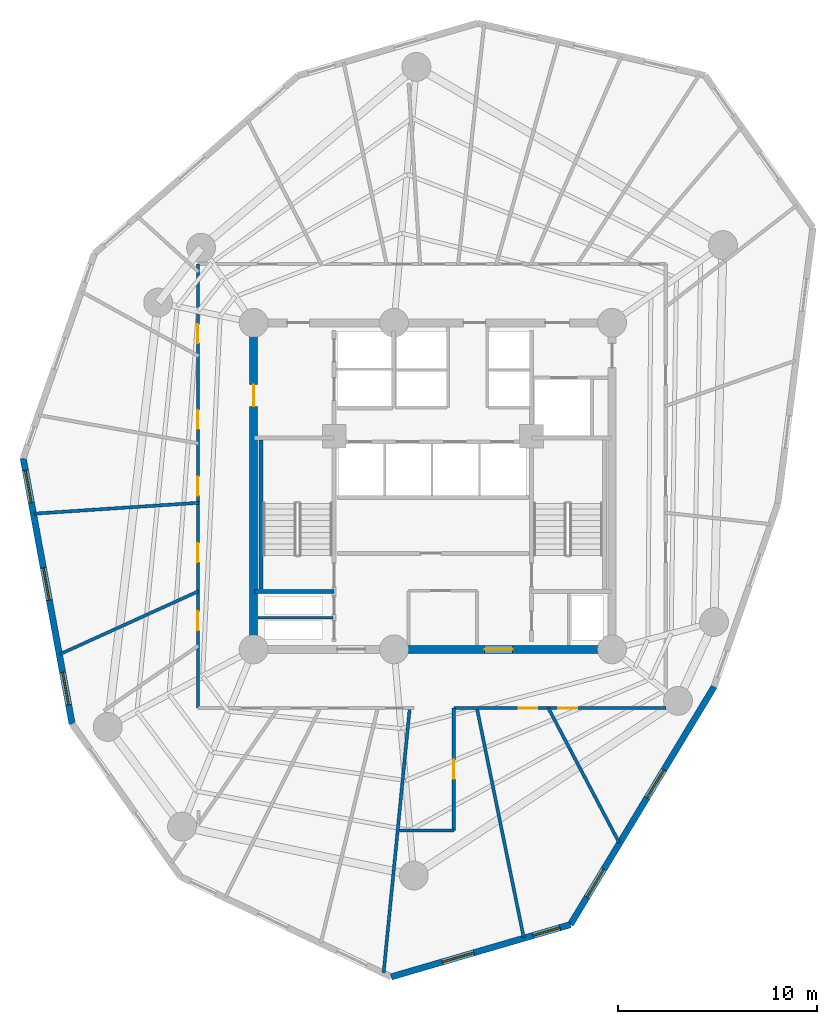
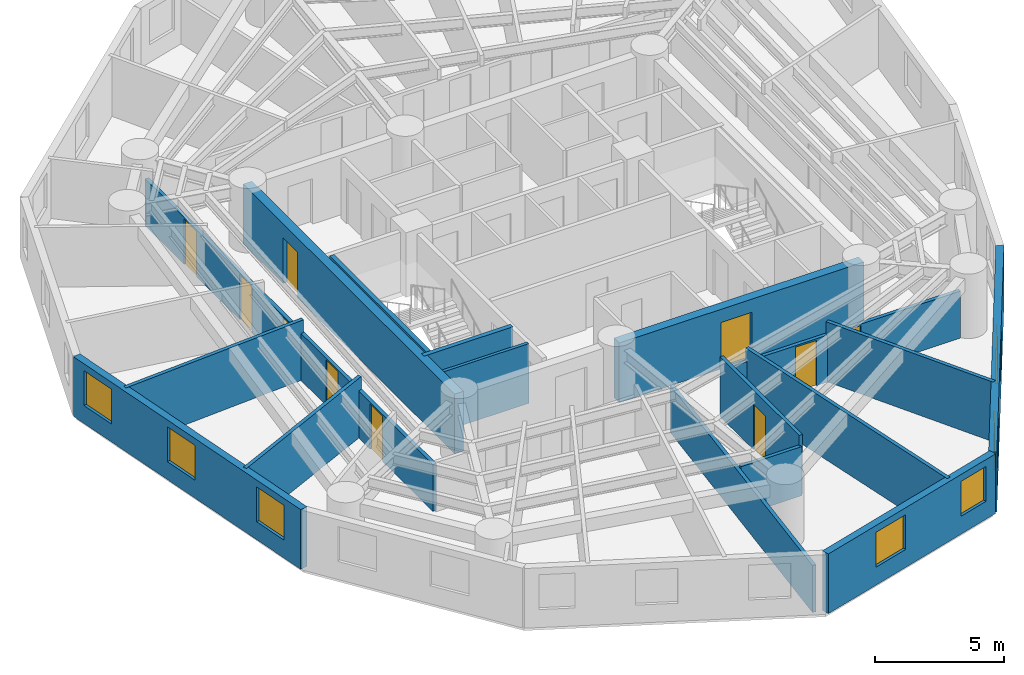
# One storey, part 3 of 7: 17 walls, 10 doors, 7 windows, 17 openings.
"""IFC4 building model written with IfcOpenShell, lengths in metres."""

import ifcopenshell
import ifcopenshell.guid

model = None  # the IFC model being written
_history = None  # IfcOwnerHistory: only IFC2X3 demands one
_inside = {}  # id of a spatial element -> (the spatial element, [elements in it])
_under = {}  # id of a project, library or spatial element -> (it, [spatial elements below it])
_declared = {}  # id of a project -> (the project, [libraries it declares])
_typed = {}  # id of a type object -> (the type object, [elements of that type])
_made_of = {}  # id of a material, layer set ... -> (it, [elements and type objects made of it])


def new_model(schema):
    """Start an empty IFC model of exactly this schema.

    Asked for "IFC4X3", IfcOpenShell would pick the latest addendum, in which some entities
    have other attributes; the version numbers below select the first issue.
    IFC2X3 requires an IfcOwnerHistory on every rooted entity: one is made here for all.
    """
    global model, _history
    if schema == "IFC4X3":
        model = ifcopenshell.file(schema_version=(4, 3, 0, 0))
    else:
        model = ifcopenshell.file(schema=schema)
    _inside.clear()
    _under.clear()
    _declared.clear()
    _typed.clear()
    _made_of.clear()
    _history = None
    if model.schema == "IFC2X3":
        org = make("IfcOrganization", Name="unknown")
        user = make(
            "IfcPersonAndOrganization",
            ThePerson=make("IfcPerson", FamilyName="unknown"),
            TheOrganization=org,
        )
        app = make(
            "IfcApplication",
            ApplicationDeveloper=org,
            Version="unknown",
            ApplicationFullName="unknown",
            ApplicationIdentifier="unknown",
        )
        _history = make(
            "IfcOwnerHistory",
            OwningUser=user,
            OwningApplication=app,
            ChangeAction="ADDED",
            CreationDate=0,
        )
    return model


def make(cls, **values):
    """One entity of the class cls with the attributes given. An attribute that is None is left unset."""
    return model.create_entity(
        cls, **{name: value for name, value in values.items() if value is not None}
    )


def rooted(cls, **values):
    """An entity with a GlobalId (a new one), such as an element, a storey or a relation."""
    return make(cls, GlobalId=ifcopenshell.guid.new(), OwnerHistory=_history, **values)


def si_unit(unit_type, name, prefix=None):
    """IfcSIUnit, for example si_unit("LENGTHUNIT", "METRE", prefix="MILLI")."""
    return make("IfcSIUnit", UnitType=unit_type, Prefix=prefix, Name=name)


def assignment(units):
    """IfcUnitAssignment: the units of a project."""
    return None if units is None else make("IfcUnitAssignment", Units=units)


def point(xyz):
    """IfcCartesianPoint."""
    return None if xyz is None else make("IfcCartesianPoint", Coordinates=xyz)


def direction(xyz):
    """IfcDirection."""
    return None if xyz is None else make("IfcDirection", DirectionRatios=xyz)


def frame(location, z_axis=None, x_axis=None):
    """IfcAxis2Placement3D, a coordinate frame: its origin and axes. An axis left out is left unset."""
    return make(
        "IfcAxis2Placement3D",
        Location=point(location),
        Axis=direction(z_axis),
        RefDirection=direction(x_axis),
    )


def frame_2d(location, x_axis=None):
    """IfcAxis2Placement2D, a coordinate frame in the plane: its origin and x axis."""
    return make(
        "IfcAxis2Placement2D", Location=point(location), RefDirection=direction(x_axis)
    )


def origin():
    """The frame at (0, 0, 0) with its axes left unset."""
    return frame((0.0, 0.0, 0.0))


def origin_with_axes():
    """The frame at (0, 0, 0) with the z axis (0, 0, 1) and the x axis (1, 0, 0) written out."""
    return frame((0.0, 0.0, 0.0), z_axis=(0.0, 0.0, 1.0), x_axis=(1.0, 0.0, 0.0))


def place(relative_to, where):
    """IfcLocalPlacement: puts the frame where relative to a parent placement (None: the world)."""
    return make(
        "IfcLocalPlacement", PlacementRelTo=relative_to, RelativePlacement=where
    )


def context(
    kind, dimensions, precision=None, world=None, true_north=None, identifier=None
):
    """IfcGeometricRepresentationContext, for example the 3D "Model" context."""
    return make(
        "IfcGeometricRepresentationContext",
        ContextIdentifier=identifier,
        ContextType=kind,
        CoordinateSpaceDimension=dimensions,
        Precision=precision,
        WorldCoordinateSystem=world,
        TrueNorth=true_north,
    )


def subcontext(parent, identifier, kind, view, scale=None):
    """IfcGeometricRepresentationSubContext, for example "Body" below "Model"."""
    return make(
        "IfcGeometricRepresentationSubContext",
        ContextIdentifier=identifier,
        ContextType=kind,
        ParentContext=parent,
        TargetScale=scale,
        TargetView=view,
    )


def project(units=None, contexts=None):
    """IfcProject with its units and contexts."""
    return rooted(
        "IfcProject",
        Name="project",
        RepresentationContexts=contexts,
        UnitsInContext=assignment(units),
    )


def spatial(cls, under=None, at=None, **own):
    """A site, building, storey or space (cls), placed at a placement, below another one or the project."""
    s = rooted(cls, ObjectPlacement=at, **own)
    if under is not None:
        _under.setdefault(under.id(), (under, []))[1].append(s)
    return s


def profile(cls, at=None, kind="AREA", **sizes):
    """A parametric profile (cls). Its sizes go by their IFC names, for example OverallWidth=200.0."""
    return make(cls, ProfileType=kind, Position=at, **sizes)


def rectangle(**sizes):
    """IfcRectangleProfileDef."""
    return profile("IfcRectangleProfileDef", **sizes)


def extrude(swept, where, along, depth):
    """IfcExtrudedAreaSolid: the profile swept, set in the frame where, extruded along a direction by depth."""
    return make(
        "IfcExtrudedAreaSolid",
        SweptArea=swept,
        Position=where,
        ExtrudedDirection=direction(along),
        Depth=depth,
    )


def shape(context_of_items, identifier, shape_type, items):
    """IfcShapeRepresentation: the items that make up one representation, for example the "Body"."""
    return make(
        "IfcShapeRepresentation",
        ContextOfItems=context_of_items,
        RepresentationIdentifier=identifier,
        RepresentationType=shape_type,
        Items=items,
    )


def source(mapping_origin, context_of_items, identifier, shape_type, items):
    """IfcRepresentationMap: a shape defined once, which mapped items show again and again."""
    return make(
        "IfcRepresentationMap",
        MappingOrigin=mapping_origin,
        MappedRepresentation=shape(context_of_items, identifier, shape_type, items),
    )


def transform(
    local_origin,
    x_axis=None,
    y_axis=None,
    z_axis=None,
    scale=None,
    scale2=None,
    scale3=None,
    uniform=True,
):
    """IfcCartesianTransformationOperator3D, or its non-uniform kind. x_axis, y_axis, z_axis: its Axis1, 2, 3."""
    if uniform:
        return make(
            "IfcCartesianTransformationOperator3D",
            Axis1=direction(x_axis),
            Axis2=direction(y_axis),
            LocalOrigin=point(local_origin),
            Scale=scale,
            Axis3=direction(z_axis),
        )
    return make(
        "IfcCartesianTransformationOperator3DnonUniform",
        Axis1=direction(x_axis),
        Axis2=direction(y_axis),
        LocalOrigin=point(local_origin),
        Scale=scale,
        Axis3=direction(z_axis),
        Scale2=scale2,
        Scale3=scale3,
    )


def mapped(mapping_source, mapping_target):
    """IfcMappedItem: shows the shape of a source again, moved by a transform."""
    return make(
        "IfcMappedItem", MappingSource=mapping_source, MappingTarget=mapping_target
    )


def material(Name=None, Category=None):
    """IfcMaterial."""
    return make("IfcMaterial", Name=Name, Category=Category)


def layer(
    of_material, thickness, ventilated=None, Name=None, Category=None, Priority=None
):
    """IfcMaterialLayer: one layer of a wall or slab, of a material (None: an air gap)."""
    return make(
        "IfcMaterialLayer",
        Material=of_material,
        LayerThickness=thickness,
        IsVentilated=ventilated,
        Name=Name,
        Category=Category,
        Priority=Priority,
    )


def layer_set(layers, Name=None):
    """IfcMaterialLayerSet."""
    return make("IfcMaterialLayerSet", MaterialLayers=layers, LayerSetName=Name)


def made_of(thing, what):
    """Note that an element or type object is made of a material, layer set ...; save() writes the relation."""
    if what is not None:
        _made_of.setdefault(what.id(), (what, []))[1].append(thing)
    return thing


def type_object(cls, material=None, **own):
    """A type object (cls), such as IfcWallType, which elements share."""
    return made_of(rooted(cls, **own), material)


def element(
    cls,
    number,
    at=None,
    inside=None,
    cuts=None,
    type_object=None,
    material=None,
    context=None,
    identifier="Body",
    shape_type=None,
    held_by="IfcProductDefinitionShape",
    body=None,
    shapes=None,
    **own,
):
    """One element of the class cls, such as IfcWall. Its Tag is "e" and its number.

    at: its placement. inside: the storey or other place that contains it. cuts: it is an
    opening in that element (IfcRelVoidsElement). A single representation is given by context,
    identifier, shape_type and body (its items); several are given by shapes. held_by: the class
    of the entity that holds the representations. save() writes the other relations.
    """
    e = rooted(cls, Tag="e%d" % number, ObjectPlacement=at, **own)
    if body is not None:
        shapes = [shape(context, identifier, shape_type, body)]
    if shapes is not None:
        e.Representation = make(held_by, Representations=shapes)
    if inside is not None:
        _inside.setdefault(inside.id(), (inside, []))[1].append(e)
    if cuts is not None:
        rooted(
            "IfcRelVoidsElement", RelatingBuildingElement=cuts, RelatedOpeningElement=e
        )
    if type_object is not None:
        _typed.setdefault(type_object.id(), (type_object, []))[1].append(e)
    return made_of(e, material)


def fill(opening, filler):
    """IfcRelFillsElement: the door or window that sits in an opening."""
    return rooted(
        "IfcRelFillsElement",
        RelatingOpeningElement=opening,
        RelatedBuildingElement=filler,
    )


def aggregate(whole, parts):
    """IfcRelAggregates: a whole, such as a stair, and the parts it consists of."""
    return rooted("IfcRelAggregates", RelatingObject=whole, RelatedObjects=parts)


def save(model, path):
    """Write the relations noted so far, then the file.

    IfcRelAggregates (storeys below a building ...), IfcRelContainedInSpatialStructure (elements
    in a storey), IfcRelDefinesByType, IfcRelAssociatesMaterial and IfcRelDeclares: one each for
    every whole, place, type object, material and project.
    """
    for whole, parts in _under.values():
        aggregate(whole, parts)
    for where, things in _inside.values():
        rooted(
            "IfcRelContainedInSpatialStructure",
            RelatedElements=things,
            RelatingStructure=where,
        )
    for kind, things in _typed.values():
        rooted("IfcRelDefinesByType", RelatedObjects=things, RelatingType=kind)
    for what, things in _made_of.values():
        rooted("IfcRelAssociatesMaterial", RelatedObjects=things, RelatingMaterial=what)
    for by, libraries in _declared.values():
        rooted("IfcRelDeclares", RelatingContext=by, RelatedDefinitions=libraries)
    model.write(path)


model = new_model("IFC4")

# Units and contexts
model_context = context("Model", 3, precision=1e-05, world=origin(), true_north=direction((0.0, 1.0)))
body_context = subcontext(model_context, "Body", "Model", "MODEL_VIEW")
ifc_project = project(units=[si_unit("LENGTHUNIT", "METRE"), si_unit("AREAUNIT", "SQUARE_METRE"), si_unit("VOLUMEUNIT", "CUBIC_METRE"), si_unit("PLANEANGLEUNIT", "RADIAN"), si_unit("MASSUNIT", "GRAM", prefix="KILO")], contexts=[model_context])

# Site, building, storey
site_placement = place(None, origin())
site = spatial("IfcSite", under=ifc_project, at=site_placement, CompositionType="ELEMENT")
building_placement = place(site_placement, origin())
building = spatial("IfcBuilding", under=site, at=building_placement, Name="Karkom Vertical University and Central Library", CompositionType="ELEMENT")
storey_placement = place(building_placement, frame((0.0, 0.0, 138.89990234375)))
storey = spatial("IfcBuildingStorey", under=building, at=storey_placement, Name="L39", CompositionType="ELEMENT", Elevation=138.89990234375)

# Wall, openings, windows
ifc_material_1 = material(Name="Brick-faced precast concrete C45/55", Category="masonry")
ifc_layer_1 = layer(ifc_material_1, 0.320068359375)
ifc_layer_set_1 = layer_set([ifc_layer_1], Name="Brick-faced precast concrete C45/55")
wall_type_1 = type_object("IfcWallType", Name="ENV-WL-BRK-320", PredefinedType="SOLIDWALL", material=ifc_layer_set_1)
wall_1_placement = place(storey_placement, frame((7.92529296875, 27.905029296875, 0.0), z_axis=(0.0, 0.0, 1.0), x_axis=(0.181202231152, -0.983445855869, 0.0)))
wall_1 = element("IfcWall", 1, at=wall_1_placement, inside=storey, type_object=wall_type_1, Name="Level 39 Brick-Faced Precast Facade Wall 02", PredefinedType="SOLIDWALL", context=body_context, shape_type="SweptSolid", body=[
    extrude(rectangle(XDim=13.58251953125, YDim=0.320068359375, at=frame_2d((6.791259765625, 0.0))), origin(), (0.0, 0.0, 1.0), 2.8251953125),
])
opening_1_placement = place(wall_1_placement, frame((0.62890625, 0.0, 0.85009765625)))
opening_1 = element("IfcOpeningElement", 2, at=opening_1_placement, cuts=wall_1, Name="Opening WN-06", PredefinedType="OPENING", context=body_context, shape_type="SweptSolid", body=[
    extrude(rectangle(XDim=1.64990234375, YDim=1.64990234375, at=frame_2d((0.824951171875, 0.824951171875))), frame((0.0, 0.169921875, 0.0), z_axis=(0.0, -1.0, 0.0), x_axis=(1.0, 0.0, 0.0)), (0.0, 0.0, 1.0), 0.340087890625),
])
opening_2_placement = place(wall_1_placement, frame((5.60498046875, 0.0, 0.85009765625)))
opening_2 = element("IfcOpeningElement", 3, at=opening_2_placement, cuts=wall_1, Name="Opening WN-06", PredefinedType="OPENING", context=body_context, shape_type="SweptSolid", body=[
    extrude(rectangle(XDim=1.64990234375, YDim=1.64990234375, at=frame_2d((0.824951171875, 0.824951171875))), frame((0.0, 0.169921875, 0.0), z_axis=(0.0, -1.0, 0.0), x_axis=(1.0, 0.0, 0.0)), (0.0, 0.0, 1.0), 0.340087890625),
])
opening_3_placement = place(wall_1_placement, frame((10.9423828125, 0.0, 0.85009765625)))
opening_3 = element("IfcOpeningElement", 4, at=opening_3_placement, cuts=wall_1, Name="Opening WN-06", PredefinedType="OPENING", context=body_context, shape_type="SweptSolid", body=[
    extrude(rectangle(XDim=1.64990234375, YDim=1.64990234375, at=frame_2d((0.824951171875, 0.824951171875))), frame((0.0, 0.169921875, 0.0), z_axis=(0.0, -1.0, 0.0), x_axis=(1.0, 0.0, 0.0)), (0.0, 0.0, 1.0), 0.340087890625),
])
ifc_material_2 = material(Name="Aluminium thermal-break frame with solar-control IGU", Category="aluminium")
window_type_1 = type_object("IfcWindowType", Name="ENV-WIN-WN-06", PartitioningType="SINGLE_PANEL", PredefinedType="WINDOW", material=ifc_material_2)
shared_shape_1 = source(origin_with_axes(), body_context, "Body", "SweptSolid", [
    extrude(rectangle(XDim=1.64990234375, YDim=1.64990234375, at=frame_2d((0.824951171875, 0.824951171875))), frame((0.0, 0.030029296875, 0.0), z_axis=(0.0, -1.0, 0.0), x_axis=(1.0, 0.0, 0.0)), (0.0, 0.0, 1.0), 0.06005859375),
])
window_1_placement = place(opening_1_placement, origin())
window_1 = element("IfcWindow", 5, at=window_1_placement, inside=storey, type_object=window_type_1, Name="Level 39 Punched Window 2.1", OverallHeight=1.64990234375, OverallWidth=1.64990234375, PartitioningType="SINGLE_PANEL", PredefinedType="WINDOW", context=body_context, shape_type="MappedRepresentation", body=[
    mapped(shared_shape_1, transform((0.0, 0.0, 0.0), scale=1.0)),
])
fill(opening_1, window_1)
window_2_placement = place(opening_2_placement, origin())
window_2 = element("IfcWindow", 6, at=window_2_placement, inside=storey, type_object=window_type_1, Name="Level 39 Punched Window 2.2", OverallHeight=1.64990234375, OverallWidth=1.64990234375, PartitioningType="SINGLE_PANEL", PredefinedType="WINDOW", context=body_context, shape_type="MappedRepresentation", body=[
    mapped(shared_shape_1, transform((0.0, 0.0, 0.0), scale=1.0)),
])
fill(opening_2, window_2)
window_3_placement = place(opening_3_placement, origin())
window_3 = element("IfcWindow", 7, at=window_3_placement, inside=storey, type_object=window_type_1, Name="Level 39 Punched Window 2.3", OverallHeight=1.64990234375, OverallWidth=1.64990234375, PartitioningType="SINGLE_PANEL", PredefinedType="WINDOW", context=body_context, shape_type="MappedRepresentation", body=[
    mapped(shared_shape_1, transform((0.0, 0.0, 0.0), scale=1.0)),
])
fill(opening_3, window_3)

wall_2_placement = place(storey_placement, frame((26.40380859375, 1.85009765625, 0.0), z_axis=(0.0, 0.0, 1.0), x_axis=(0.960025365536, 0.279913017788, 0.0)))
wall_2 = element("IfcWall", 8, at=wall_2_placement, inside=storey, type_object=wall_type_1, Name="Level 39 Brick-Faced Precast Facade Wall 05", PredefinedType="SOLIDWALL", context=body_context, shape_type="SweptSolid", body=[
    extrude(rectangle(XDim=9.376953125, YDim=0.320068359375, at=frame_2d((4.6884765625, 0.0))), origin(), (0.0, 0.0, 1.0), 2.8251953125),
])
opening_4_placement = place(wall_2_placement, frame((2.67919921875, 0.0, 0.85009765625)))
opening_4 = element("IfcOpeningElement", 9, at=opening_4_placement, cuts=wall_2, Name="Opening WN-06", PredefinedType="OPENING", context=body_context, shape_type="SweptSolid", body=[
    extrude(rectangle(XDim=1.64990234375, YDim=1.64990234375, at=frame_2d((0.824951171875, 0.824951171875))), frame((0.0, 0.169921875, 0.0), z_axis=(0.0, -1.0, 0.0), x_axis=(1.0, 0.0, 0.0)), (0.0, 0.0, 1.0), 0.340087890625),
])
opening_5_placement = place(wall_2_placement, frame((7.432861328125, 0.0, 0.85009765625)))
opening_5 = element("IfcOpeningElement", 10, at=opening_5_placement, cuts=wall_2, Name="Opening WN-07", PredefinedType="OPENING", context=body_context, shape_type="SweptSolid", body=[
    extrude(rectangle(XDim=1.39990234375, YDim=1.64990234375, at=frame_2d((0.699951171875, 0.824951171875))), frame((0.0, 0.169921875, 0.0), z_axis=(0.0, -1.0, 0.0), x_axis=(1.0, 0.0, 0.0)), (0.0, 0.0, 1.0), 0.340087890625),
])
window_4_placement = place(opening_4_placement, origin())
window_4 = element("IfcWindow", 11, at=window_4_placement, inside=storey, type_object=window_type_1, Name="Level 39 Punched Window 5.1", OverallHeight=1.64990234375, OverallWidth=1.64990234375, PartitioningType="SINGLE_PANEL", PredefinedType="WINDOW", context=body_context, shape_type="MappedRepresentation", body=[
    mapped(shared_shape_1, transform((0.0, 0.0, 0.0), scale=1.0)),
])
fill(opening_4, window_4)
window_type_2 = type_object("IfcWindowType", Name="ENV-WIN-WN-07", PartitioningType="SINGLE_PANEL", PredefinedType="WINDOW", material=ifc_material_2)
shared_shape_2 = source(origin_with_axes(), body_context, "Body", "SweptSolid", [
    extrude(rectangle(XDim=1.39990234375, YDim=1.64990234375, at=frame_2d((0.699951171875, 0.824951171875))), frame((0.0, 0.030029296875, 0.0), z_axis=(0.0, -1.0, 0.0), x_axis=(1.0, 0.0, 0.0)), (0.0, 0.0, 1.0), 0.06005859375),
])
window_5_placement = place(opening_5_placement, origin())
window_5 = element("IfcWindow", 12, at=window_5_placement, inside=storey, type_object=window_type_2, Name="Level 39 Punched Window 5.2", OverallHeight=1.64990234375, OverallWidth=1.39990234375, PartitioningType="SINGLE_PANEL", PredefinedType="WINDOW", context=body_context, shape_type="MappedRepresentation", body=[
    mapped(shared_shape_2, transform((0.0, 0.0, 0.0), scale=1.0)),
])
fill(opening_5, window_5)

wall_3_placement = place(storey_placement, frame((35.406005859375, 4.474853515625, 0.0), z_axis=(0.0, 0.0, 1.0), x_axis=(0.51711643983, 0.855915058669, 0.0)))
wall_3 = element("IfcWall", 13, at=wall_3_placement, inside=storey, type_object=wall_type_1, Name="Level 39 Brick-Faced Precast Facade Wall 06", PredefinedType="SOLIDWALL", context=body_context, shape_type="SweptSolid", body=[
    extrude(rectangle(XDim=13.974609375, YDim=0.320068359375, at=frame_2d((6.9873046875, 0.0))), origin(), (0.0, 0.0, 1.0), 2.8251953125),
])
opening_6_placement = place(wall_3_placement, frame((1.611083984375, 0.0, 0.85009765625)))
opening_6 = element("IfcOpeningElement", 14, at=opening_6_placement, cuts=wall_3, Name="Opening WN-06", PredefinedType="OPENING", context=body_context, shape_type="SweptSolid", body=[
    extrude(rectangle(XDim=1.64990234375, YDim=1.64990234375, at=frame_2d((0.824951171875, 0.824951171875))), frame((0.0, 0.169921875, 0.0), z_axis=(0.0, -1.0, 0.0), x_axis=(1.0, 0.0, 0.0)), (0.0, 0.0, 1.0), 0.340087890625),
])
opening_7_placement = place(wall_3_placement, frame((7.43310546875, 0.0, 0.85009765625)))
opening_7 = element("IfcOpeningElement", 15, at=opening_7_placement, cuts=wall_3, Name="Opening WN-06", PredefinedType="OPENING", context=body_context, shape_type="SweptSolid", body=[
    extrude(rectangle(XDim=1.64990234375, YDim=1.64990234375, at=frame_2d((0.824951171875, 0.824951171875))), frame((0.0, 0.169921875, 0.0), z_axis=(0.0, -1.0, 0.0), x_axis=(1.0, 0.0, 0.0)), (0.0, 0.0, 1.0), 0.340087890625),
])
window_6_placement = place(opening_6_placement, origin())
window_6 = element("IfcWindow", 16, at=window_6_placement, inside=storey, type_object=window_type_1, Name="Level 39 Punched Window 6.1", OverallHeight=1.64990234375, OverallWidth=1.64990234375, PartitioningType="SINGLE_PANEL", PredefinedType="WINDOW", context=body_context, shape_type="MappedRepresentation", body=[
    mapped(shared_shape_1, transform((0.0, 0.0, 0.0), scale=1.0)),
])
fill(opening_6, window_6)
window_7_placement = place(opening_7_placement, origin())
window_7 = element("IfcWindow", 17, at=window_7_placement, inside=storey, type_object=window_type_1, Name="Level 39 Punched Window 6.2", OverallHeight=1.64990234375, OverallWidth=1.64990234375, PartitioningType="SINGLE_PANEL", PredefinedType="WINDOW", context=body_context, shape_type="MappedRepresentation", body=[
    mapped(shared_shape_1, transform((0.0, 0.0, 0.0), scale=1.0)),
])
fill(opening_7, window_7)

# Wall, openings, doors
ifc_material_3 = material(Name="Insulated metal-stud drywall 160mm", Category="gypsum")
ifc_layer_2 = layer(ifc_material_3, 0.159912109375)
ifc_layer_set_2 = layer_set([ifc_layer_2], Name="Insulated metal-stud drywall 160mm")
wall_type_2 = type_object("IfcWallType", Name="INT-WL-COR-160", PredefinedType="PARTITIONING", material=ifc_layer_set_2)
wall_4_placement = place(storey_placement, frame((16.699951171875, 15.35009765625, 0.0), z_axis=(0.0, 0.0, 1.0), x_axis=(0.0, 1.0, 0.0)))
wall_4 = element("IfcWall", 18, at=wall_4_placement, inside=storey, type_object=wall_type_2, Name="Level 39 Interior Partition Wall L39-CORW-CW-002", PredefinedType="PARTITIONING", context=body_context, shape_type="SweptSolid", body=[
    extrude(rectangle(XDim=22.2998046875, YDim=0.159912109375, at=frame_2d((11.14990234375, 0.0))), origin(), (0.0, 0.0, 1.0), 2.22509765625),
])
opening_8_placement = place(wall_4_placement, frame((7.330078125, 0.0, 0.0)))
opening_8 = element("IfcOpeningElement", 19, at=opening_8_placement, cuts=wall_4, Name="Opening D-RM1", PredefinedType="OPENING", context=body_context, shape_type="SweptSolid", body=[
    extrude(rectangle(XDim=0.949951171875, YDim=2.14990234375, at=frame_2d((0.47509765625, 1.074951171875))), frame((0.0, 0.08984375, 0.0), z_axis=(0.0, -1.0, 0.0), x_axis=(1.0, 0.0, 0.0)), (0.0, 0.0, 1.0), 0.179931640625),
])
opening_9_placement = place(wall_4_placement, frame((3.897705078125, 0.0, 0.0)))
opening_9 = element("IfcOpeningElement", 20, at=opening_9_placement, cuts=wall_4, Name="Opening FD-RM2", PredefinedType="OPENING", context=body_context, shape_type="SweptSolid", body=[
    extrude(rectangle(XDim=0.9599609375, YDim=2.14990234375, at=frame_2d((0.47998046875, 1.074951171875))), frame((0.0, 0.08984375, 0.0), z_axis=(0.0, -1.0, 0.0), x_axis=(1.0, 0.0, 0.0)), (0.0, 0.0, 1.0), 0.179931640625),
])
opening_10_placement = place(wall_4_placement, frame((18.331298828125, 0.0, 0.0)))
opening_10 = element("IfcOpeningElement", 21, at=opening_10_placement, cuts=wall_4, Name="Opening D-RM1", PredefinedType="OPENING", context=body_context, shape_type="SweptSolid", body=[
    extrude(rectangle(XDim=0.949951171875, YDim=2.14990234375, at=frame_2d((0.47509765625, 1.074951171875))), frame((0.0, 0.08984375, 0.0), z_axis=(0.0, -1.0, 0.0), x_axis=(1.0, 0.0, 0.0)), (0.0, 0.0, 1.0), 0.179931640625),
])
opening_11_placement = place(wall_4_placement, frame((14.02001953125, 0.0, 0.0)))
opening_11 = element("IfcOpeningElement", 22, at=opening_11_placement, cuts=wall_4, Name="Opening D-RM1", PredefinedType="OPENING", context=body_context, shape_type="SweptSolid", body=[
    extrude(rectangle(XDim=0.949951171875, YDim=2.14990234375, at=frame_2d((0.47509765625, 1.074951171875))), frame((0.0, 0.08984375, 0.0), z_axis=(0.0, -1.0, 0.0), x_axis=(1.0, 0.0, 0.0)), (0.0, 0.0, 1.0), 0.179931640625),
])
opening_12_placement = place(wall_4_placement, frame((10.675048828125, 0.0, 0.0)))
opening_12 = element("IfcOpeningElement", 23, at=opening_12_placement, cuts=wall_4, Name="Opening D-RM1", PredefinedType="OPENING", context=body_context, shape_type="SweptSolid", body=[
    extrude(rectangle(XDim=0.949951171875, YDim=2.14990234375, at=frame_2d((0.47509765625, 1.074951171875))), frame((0.0, 0.08984375, 0.0), z_axis=(0.0, -1.0, 0.0), x_axis=(1.0, 0.0, 0.0)), (0.0, 0.0, 1.0), 0.179931640625),
])
ifc_material_4 = material(Name="Fire-rated oak veneer door", Category="wood")
door_type_1 = type_object("IfcDoorType", Name="INT-DR-FRM2", OperationType="NOTDEFINED", PredefinedType="DOOR", material=ifc_material_4)
shared_shape_3 = source(origin_with_axes(), body_context, "Body", "SweptSolid", [
    extrude(rectangle(XDim=0.9599609375, YDim=2.14990234375, at=frame_2d((0.47998046875, 1.074951171875))), frame((0.0, 0.02490234375, 0.0), z_axis=(0.0, -1.0, 0.0), x_axis=(1.0, 0.0, 0.0)), (0.0, 0.0, 1.0), 0.050048828125),
])
door_1_placement = place(opening_9_placement, origin())
door_1 = element("IfcDoor", 24, at=door_1_placement, inside=storey, type_object=door_type_1, Name="Level 39 Room Entry Door 010", OperationType="SINGLE_SWING_RIGHT", OverallHeight=2.14990234375, OverallWidth=0.9599609375, PredefinedType="DOOR", context=body_context, shape_type="MappedRepresentation", body=[
    mapped(shared_shape_3, transform((0.0, 0.0, 0.0), scale=1.0)),
])
fill(opening_9, door_1)
ifc_material_5 = material(Name="Solid-core oak veneer door", Category="wood")
door_type_2 = type_object("IfcDoorType", Name="INT-DR-RM1", OperationType="NOTDEFINED", PredefinedType="DOOR", material=ifc_material_5)
shared_shape_4 = source(origin_with_axes(), body_context, "Body", "SweptSolid", [
    extrude(rectangle(XDim=0.949951171875, YDim=2.14990234375, at=frame_2d((0.47509765625, 1.074951171875))), frame((0.0, 0.02490234375, 0.0), z_axis=(0.0, -1.0, 0.0), x_axis=(1.0, 0.0, 0.0)), (0.0, 0.0, 1.0), 0.050048828125),
])
door_2_placement = place(opening_8_placement, origin())
door_2 = element("IfcDoor", 25, at=door_2_placement, inside=storey, type_object=door_type_2, Name="Level 39 Room Entry Door 000", OperationType="SINGLE_SWING_LEFT", OverallHeight=2.14990234375, OverallWidth=0.949951171875, PredefinedType="DOOR", context=body_context, shape_type="MappedRepresentation", body=[
    mapped(shared_shape_4, transform((0.0, 0.0, 0.0), scale=1.0)),
])
fill(opening_8, door_2)
door_3_placement = place(opening_10_placement, origin())
door_3 = element("IfcDoor", 26, at=door_3_placement, inside=storey, type_object=door_type_2, Name="Level 39 Room Entry Door 210", OperationType="SINGLE_SWING_RIGHT", OverallHeight=2.14990234375, OverallWidth=0.949951171875, PredefinedType="DOOR", context=body_context, shape_type="MappedRepresentation", body=[
    mapped(shared_shape_4, transform((0.0, 0.0, 0.0), scale=1.0)),
])
fill(opening_10, door_3)
door_4_placement = place(opening_11_placement, origin())
door_4 = element("IfcDoor", 27, at=door_4_placement, inside=storey, type_object=door_type_2, Name="Level 39 Room Entry Door 220", OperationType="SINGLE_SWING_LEFT", OverallHeight=2.14990234375, OverallWidth=0.949951171875, PredefinedType="DOOR", context=body_context, shape_type="MappedRepresentation", body=[
    mapped(shared_shape_4, transform((0.0, 0.0, 0.0), scale=1.0)),
])
fill(opening_11, door_4)
door_5_placement = place(opening_12_placement, origin())
door_5 = element("IfcDoor", 28, at=door_5_placement, inside=storey, type_object=door_type_2, Name="Level 39 Room Entry Door 230", OperationType="SINGLE_SWING_RIGHT", OverallHeight=2.14990234375, OverallWidth=0.949951171875, PredefinedType="DOOR", context=body_context, shape_type="MappedRepresentation", body=[
    mapped(shared_shape_4, transform((0.0, 0.0, 0.0), scale=1.0)),
])
fill(opening_12, door_5)

# Walls
wall_5_placement = place(storey_placement, frame((27.342529296875, 15.3798828125, 0.0), z_axis=(0.0, 0.0, 1.0), x_axis=(-0.098192432791, -0.995167446284, 0.0)))
element("IfcWall", 29, at=wall_5_placement, inside=storey, type_object=wall_type_2, Name="Level 39 Interior Partition Wall L39-PW-009", PredefinedType="PARTITIONING", context=body_context, shape_type="SweptSolid", body=[
    extrude(rectangle(XDim=13.384033203125, YDim=0.159912109375, at=frame_2d((6.69189453125, 0.0))), origin(), (0.0, 0.0, 1.0), 2.22509765625),
])
wall_6_placement = place(storey_placement, frame((30.706787109375, 15.37939453125, 0.0), z_axis=(0.0, 0.0, 1.0), x_axis=(0.199839203464, -0.979828705825, 0.0)))
element("IfcWall", 30, at=wall_6_placement, inside=storey, type_object=wall_type_2, Name="Level 39 Interior Partition Wall L39-PW-010", PredefinedType="PARTITIONING", context=body_context, shape_type="SweptSolid", body=[
    extrude(rectangle(XDim=11.799072265625, YDim=0.159912109375, at=frame_2d((5.8994140625, 0.0))), origin(), (0.0, 0.0, 1.0), 2.8251953125),
])

# Wall, openings, doors
wall_7_placement = place(storey_placement, frame((40.199951171875, 15.35009765625, 0.0), z_axis=(0.0, 0.0, 1.0), x_axis=(-1.0, 0.0, 0.0)))
wall_7 = element("IfcWall", 31, at=wall_7_placement, inside=storey, type_object=wall_type_2, Name="Level 39 Interior Partition Wall L39-CORW-CW-005", PredefinedType="PARTITIONING", context=body_context, shape_type="SweptSolid", body=[
    extrude(rectangle(XDim=10.64990234375, YDim=0.159912109375, at=frame_2d((5.324951171875, 0.0))), origin(), (0.0, 0.0, 1.0), 2.22509765625),
])
opening_13_placement = place(wall_7_placement, frame((6.447509765625, 0.0, 0.0)))
opening_13 = element("IfcOpeningElement", 32, at=opening_13_placement, cuts=wall_7, Name="Opening D-RM1", PredefinedType="OPENING", context=body_context, shape_type="SweptSolid", body=[
    extrude(rectangle(XDim=0.949951171875, YDim=2.14990234375, at=frame_2d((0.47509765625, 1.074951171875))), frame((0.0, 0.08984375, 0.0), z_axis=(0.0, -1.0, 0.0), x_axis=(1.0, 0.0, 0.0)), (0.0, 0.0, 1.0), 0.179931640625),
])
opening_14_placement = place(wall_7_placement, frame((4.4599609375, 0.0, 0.0)))
opening_14 = element("IfcOpeningElement", 33, at=opening_14_placement, cuts=wall_7, Name="Opening D-RM1", PredefinedType="OPENING", context=body_context, shape_type="SweptSolid", body=[
    extrude(rectangle(XDim=0.949951171875, YDim=2.14990234375, at=frame_2d((0.47509765625, 1.074951171875))), frame((0.0, 0.08984375, 0.0), z_axis=(0.0, -1.0, 0.0), x_axis=(1.0, 0.0, 0.0)), (0.0, 0.0, 1.0), 0.179931640625),
])
door_6_placement = place(opening_13_placement, origin())
door_6 = element("IfcDoor", 34, at=door_6_placement, inside=storey, type_object=door_type_2, Name="Level 39 Room Entry Door 070", OperationType="SINGLE_SWING_RIGHT", OverallHeight=2.14990234375, OverallWidth=0.949951171875, PredefinedType="DOOR", context=body_context, shape_type="MappedRepresentation", body=[
    mapped(shared_shape_4, transform((0.0, 0.0, 0.0), scale=1.0)),
])
fill(opening_13, door_6)
door_7_placement = place(opening_14_placement, origin())
door_7 = element("IfcDoor", 35, at=door_7_placement, inside=storey, type_object=door_type_2, Name="Level 39 Room Entry Door 080", OperationType="SINGLE_SWING_LEFT", OverallHeight=2.14990234375, OverallWidth=0.949951171875, PredefinedType="DOOR", context=body_context, shape_type="MappedRepresentation", body=[
    mapped(shared_shape_4, transform((0.0, 0.0, 0.0), scale=1.0)),
])
fill(opening_14, door_7)

# Walls
wall_8_placement = place(storey_placement, frame((8.4658203125, 25.113037109375, 0.0), z_axis=(0.0, 0.0, 1.0), x_axis=(0.997813966521, 0.066085461453, 0.0)))
element("IfcWall", 36, at=wall_8_placement, inside=storey, type_object=wall_type_2, Name="Level 39 Interior Partition Wall L39-PW-002", PredefinedType="PARTITIONING", context=body_context, shape_type="SweptSolid", body=[
    extrude(rectangle(XDim=8.29736328125, YDim=0.159912109375, at=frame_2d((4.148681640625, 0.0))), origin(), (0.0, 0.0, 1.0), 2.8251953125),
])
wall_9_placement = place(storey_placement, frame((34.286865234375, 15.37646484375, 0.0), z_axis=(0.0, 0.0, 1.0), x_axis=(0.465762191089, -0.884909928384, 0.0)))
element("IfcWall", 37, at=wall_9_placement, inside=storey, type_object=wall_type_2, Name="Level 39 Interior Partition Wall L39-PW-011", PredefinedType="PARTITIONING", context=body_context, shape_type="SweptSolid", body=[
    extrude(rectangle(XDim=7.662353515625, YDim=0.159912109375, at=frame_2d((3.8310546875, 0.0))), origin(), (0.0, 0.0, 1.0), 2.8251953125),
])
wall_10_placement = place(storey_placement, frame((16.740966796875, 21.22314453125, 0.0), z_axis=(0.0, 0.0, 1.0), x_axis=(-0.910434141859, -0.41365405031, 0.0)))
element("IfcWall", 38, at=wall_10_placement, inside=storey, type_object=wall_type_2, Name="Level 39 Interior Partition Wall L39-PW-001", PredefinedType="PARTITIONING", context=body_context, shape_type="SweptSolid", body=[
    extrude(rectangle(XDim=7.65966796875, YDim=0.159912109375, at=frame_2d((3.829833984375, 0.0))), origin(), (0.0, 0.0, 1.0), 2.8251953125),
])

# Wall, opening, door
wall_11_placement = place(storey_placement, frame((29.550048828125, 15.35009765625, 0.0), z_axis=(0.0, 0.0, 1.0), x_axis=(0.0, -1.0, 0.0)))
wall_11 = element("IfcWall", 39, at=wall_11_placement, inside=storey, type_object=wall_type_2, Name="Level 39 Interior Partition Wall L39-CORW-CW-006", PredefinedType="PARTITIONING", context=body_context, shape_type="SweptSolid", body=[
    extrude(rectangle(XDim=6.150146484375, YDim=0.159912109375, at=frame_2d((3.0751953125, 0.0))), origin(), (0.0, 0.0, 1.0), 2.8251953125),
])
opening_15_placement = place(wall_11_placement, frame((2.60009765625, 0.0, 0.0)))
opening_15 = element("IfcOpeningElement", 40, at=opening_15_placement, cuts=wall_11, Name="Opening D-RM1", PredefinedType="OPENING", context=body_context, shape_type="SweptSolid", body=[
    extrude(rectangle(XDim=0.949951171875, YDim=2.14990234375, at=frame_2d((0.47509765625, 1.074951171875))), frame((0.0, 0.08984375, 0.0), z_axis=(0.0, -1.0, 0.0), x_axis=(1.0, 0.0, 0.0)), (0.0, 0.0, 1.0), 0.179931640625),
])
door_8_placement = place(opening_15_placement, origin())
door_8 = element("IfcDoor", 41, at=door_8_placement, inside=storey, type_object=door_type_2, Name="Level 39 Room Entry Door 060", OperationType="SINGLE_SWING_LEFT", OverallHeight=2.14990234375, OverallWidth=0.949951171875, PredefinedType="DOOR", context=body_context, shape_type="MappedRepresentation", body=[
    mapped(shared_shape_4, transform((0.0, 0.0, 0.0), scale=1.0)),
])
fill(opening_15, door_8)

# Walls
wall_12_placement = place(storey_placement, frame((29.550048828125, 9.199951171875, 0.0), z_axis=(0.0, 0.0, 1.0), x_axis=(-1.0, 0.0, 0.0)))
element("IfcWall", 42, at=wall_12_placement, inside=storey, type_object=wall_type_2, Name="Level 39 Interior Partition Wall L39-CORW-CW-007", PredefinedType="PARTITIONING", context=body_context, shape_type="SweptSolid", body=[
    extrude(rectangle(XDim=2.729736328125, YDim=0.159912109375, at=frame_2d((1.36474609375, 0.0))), origin(), (0.0, 0.0, 1.0), 2.3251953125),
])
ifc_material_6 = material(Name="Metal-stud gypsum partition 140mm", Category="gypsum")
ifc_layer_3 = layer(ifc_material_6, 0.139892578125)
ifc_layer_set_3 = layer_set([ifc_layer_3], Name="Metal-stud gypsum partition 140mm")
wall_type_3 = type_object("IfcWallType", Name="INT-WL-SUB-140H", PredefinedType="PARTITIONING", material=ifc_layer_set_3)
wall_13_placement = place(storey_placement, frame((19.70703125, 19.889892578125, 0.0), z_axis=(0.0, 0.0, 1.0), x_axis=(1.0, 0.0, 0.0)))
element("IfcWall", 43, at=wall_13_placement, inside=storey, type_object=wall_type_3, Name="Level 39 Interior Partition Wall L39-CW-RIS-W", PredefinedType="PARTITIONING", context=body_context, shape_type="SweptSolid", body=[
    extrude(rectangle(XDim=3.789794921875, YDim=0.139892578125, at=frame_2d((1.89501953125, 0.0))), origin(), (0.0, 0.0, 1.0), 2.8251953125),
])

# Wall, opening, door
ifc_material_7 = material(Name="Concrete C50/60", Category="concrete")
ifc_layer_4 = layer(ifc_material_7, 0.39990234375)
ifc_layer_set_4 = layer_set([ifc_layer_4], Name="Concrete C50/60")
wall_type_4 = type_object("IfcWallType", Name="STR-WL-CW-400", PredefinedType="SHEAR", material=ifc_layer_set_4)
wall_14_placement = place(storey_placement, frame((26.550048828125, 18.300048828125, 0.0), z_axis=(0.0, 0.0, 1.0), x_axis=(1.0, 0.0, 0.0)))
wall_14 = element("IfcWall", 44, at=wall_14_placement, inside=storey, type_object=wall_type_4, Name="Level 39 Central Core Shear Wall SW2", PredefinedType="SHEAR", context=body_context, shape_type="SweptSolid", body=[
    extrude(rectangle(XDim=10.949951171875, YDim=0.39990234375, at=frame_2d((5.47509765625, 0.0))), origin(), (0.0, 0.0, 1.0), 2.8251953125),
])
opening_16_placement = place(wall_14_placement, frame((4.550048828125, 0.0, 0.0)))
opening_16 = element("IfcOpeningElement", 45, at=opening_16_placement, cuts=wall_14, Name="Opening FD-CLB", PredefinedType="OPENING", context=body_context, shape_type="SweptSolid", body=[
    extrude(rectangle(XDim=1.39990234375, YDim=2.199951171875, at=frame_2d((0.699951171875, 1.10009765625))), frame((0.0, 0.2099609375, 0.0), z_axis=(0.0, -1.0, 0.0), x_axis=(1.0, 0.0, 0.0)), (0.0, 0.0, 1.0), 0.419921875),
])
ifc_material_8 = material(Name="Painted steel fire door", Category="steel")
door_type_3 = type_object("IfcDoorType", Name="INT-DR-CLB", OperationType="DOUBLE_DOOR_SINGLE_SWING", PredefinedType="DOOR", material=ifc_material_8)
shared_shape_5 = source(origin_with_axes(), body_context, "Body", "SweptSolid", [
    extrude(rectangle(XDim=1.39990234375, YDim=2.199951171875, at=frame_2d((0.699951171875, 1.10009765625))), frame((0.0, 0.02490234375, 0.0), z_axis=(0.0, -1.0, 0.0), x_axis=(1.0, 0.0, 0.0)), (0.0, 0.0, 1.0), 0.050048828125),
])
door_9_placement = place(opening_16_placement, origin())
door_9 = element("IfcDoor", 46, at=door_9_placement, inside=storey, type_object=door_type_3, Name="Level 39 South Core Lobby East Exit Door", OperationType="DOUBLE_DOOR_SINGLE_SWING", OverallHeight=2.199951171875, OverallWidth=1.39990234375, PredefinedType="DOOR", context=body_context, shape_type="MappedRepresentation", body=[
    mapped(shared_shape_5, transform((0.0, 0.0, 0.0), scale=1.0)),
])
fill(opening_16, door_9)

wall_15_placement = place(storey_placement, frame((19.5, 34.699951171875, 0.0), z_axis=(0.0, 0.0, 1.0), x_axis=(0.0, -1.0, 0.0)))
wall_15 = element("IfcWall", 47, at=wall_15_placement, inside=storey, type_object=wall_type_4, Name="Level 39 Central Core Shear Wall WW", PredefinedType="SHEAR", context=body_context, shape_type="SweptSolid", body=[
    extrude(rectangle(XDim=16.39990234375, YDim=0.39990234375, at=frame_2d((8.199951171875, 0.0))), origin(), (0.0, 0.0, 1.0), 2.8251953125),
])
opening_17_placement = place(wall_15_placement, frame((3.10009765625, 0.0, 0.0)))
opening_17 = element("IfcOpeningElement", 48, at=opening_17_placement, cuts=wall_15, Name="Opening FD-FFL", PredefinedType="OPENING", context=body_context, shape_type="SweptSolid", body=[
    extrude(rectangle(XDim=1.10009765625, YDim=2.14990234375, at=frame_2d((0.550048828125, 1.074951171875))), frame((0.0, 0.2099609375, 0.0), z_axis=(0.0, -1.0, 0.0), x_axis=(1.0, 0.0, 0.0)), (0.0, 0.0, 1.0), 0.419921875),
])
ifc_material_9 = material(Name="Painted steel smoke-seal fire door", Category="steel")
door_type_4 = type_object("IfcDoorType", Name="INT-DR-FFL", OperationType="NOTDEFINED", PredefinedType="DOOR", material=ifc_material_9)
shared_shape_6 = source(origin_with_axes(), body_context, "Body", "SweptSolid", [
    extrude(rectangle(XDim=1.10009765625, YDim=2.14990234375, at=frame_2d((0.550048828125, 1.074951171875))), frame((0.0, 0.02490234375, 0.0), z_axis=(0.0, -1.0, 0.0), x_axis=(1.0, 0.0, 0.0)), (0.0, 0.0, 1.0), 0.050048828125),
])
door_10_placement = place(opening_17_placement, origin())
door_10 = element("IfcDoor", 49, at=door_10_placement, inside=storey, type_object=door_type_4, Name="Level 39 West Corridor Firefighting Lobby Door", OperationType="SINGLE_SWING_RIGHT", OverallHeight=2.14990234375, OverallWidth=1.10009765625, PredefinedType="DOOR", context=body_context, shape_type="MappedRepresentation", body=[
    mapped(shared_shape_6, transform((0.0, 0.0, 0.0), scale=1.0)),
])
fill(opening_17, door_10)

# Walls
ifc_material_10 = material(Name="Concrete C45/55", Category="concrete")
ifc_layer_5 = layer(ifc_material_10, 0.199951171875)
ifc_layer_set_5 = layer_set([ifc_layer_5], Name="Concrete C45/55")
wall_type_5 = type_object("IfcWallType", Name="STR-WL-ST-200", PredefinedType="SHEAR", material=ifc_layer_set_5)
wall_16_placement = place(storey_placement, frame((19.875, 21.320068359375, 0.0), z_axis=(0.0, 0.0, 1.0), x_axis=(0.0, 1.0, 0.0)))
element("IfcWall", 50, at=wall_16_placement, inside=storey, type_object=wall_type_5, Name="Level 39 Core Shaft Wall L39-CW-ST1-W", PredefinedType="SHEAR", context=body_context, shape_type="SweptSolid", body=[
    extrude(rectangle(XDim=7.5, YDim=0.199951171875, at=frame_2d((3.75, 0.0))), origin(), (0.0, 0.0, 1.0), 2.8251953125),
])
wall_17_placement = place(storey_placement, frame((19.550048828125, 21.215087890625, 0.0), z_axis=(0.0, 0.0, 1.0), x_axis=(1.0, 0.0, 0.0)))
element("IfcWall", 51, at=wall_17_placement, inside=storey, type_object=wall_type_5, Name="Level 39 Core Shaft Wall L39-CW-ST1-S", PredefinedType="SHEAR", context=body_context, shape_type="SweptSolid", body=[
    extrude(rectangle(XDim=3.994873046875, YDim=0.199951171875, at=frame_2d((1.99755859375, 0.0))), origin(), (0.0, 0.0, 1.0), 2.8251953125),
])

save(model, "model.ifc")
